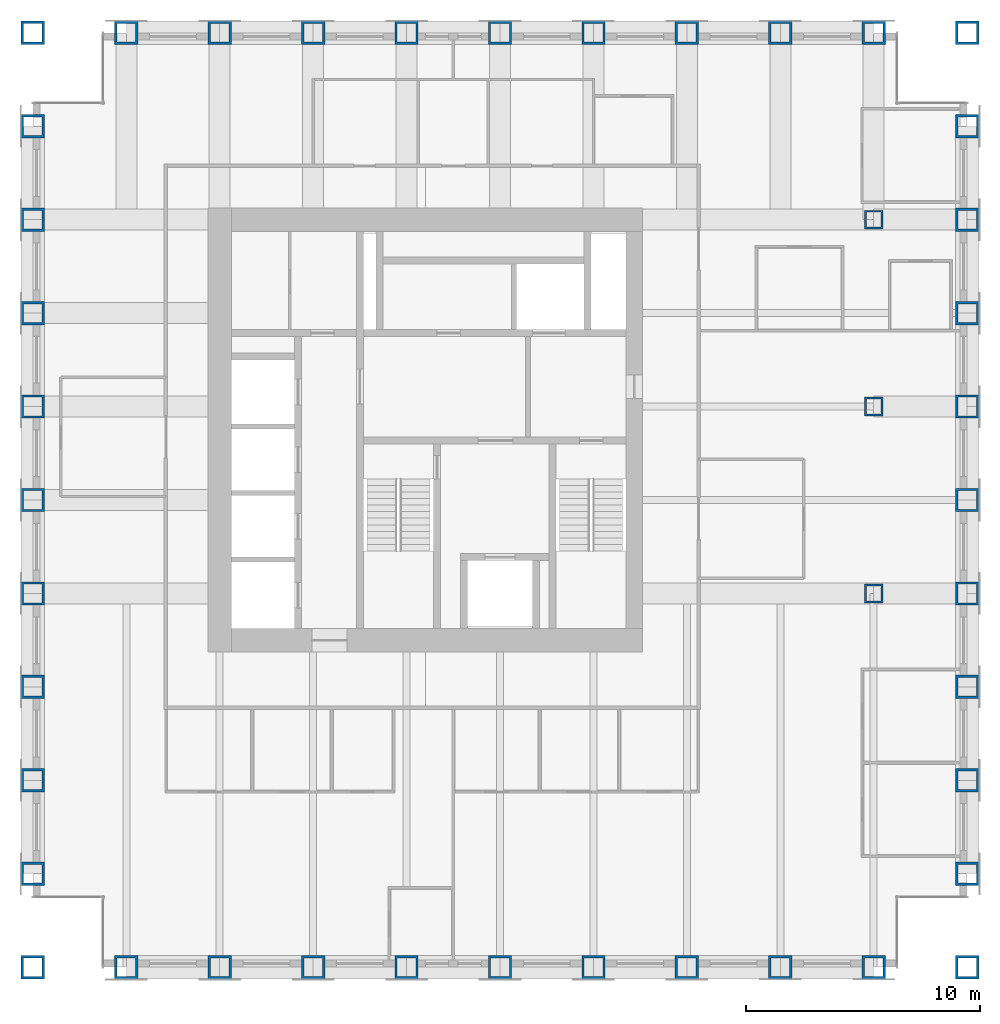
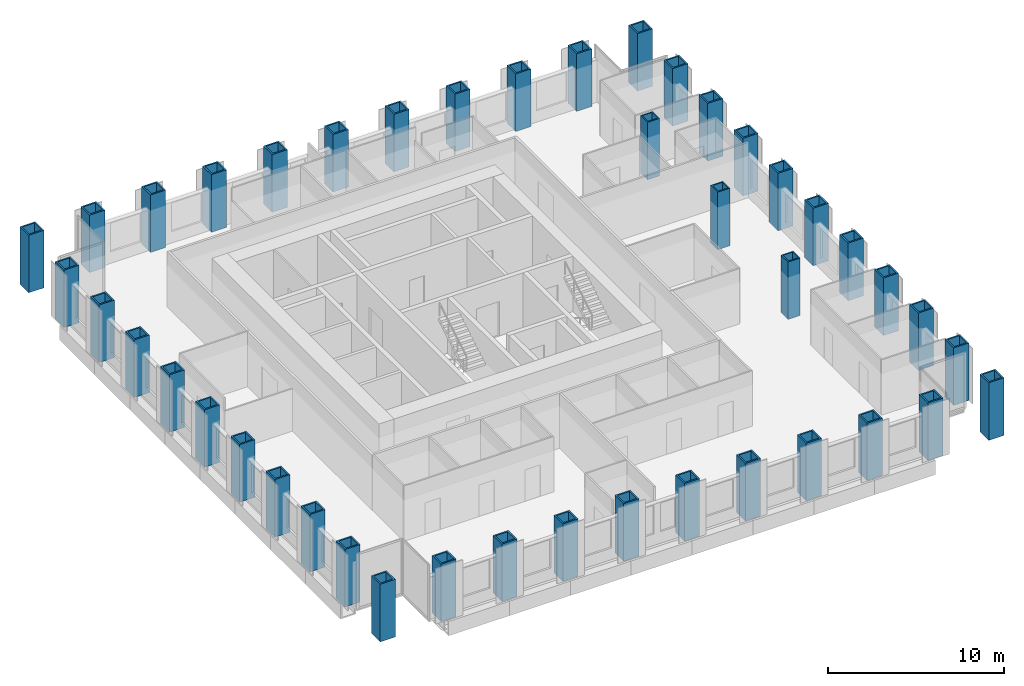
# One storey, part 1 of 13: 43 columns.
"""IFC4 building model written with IfcOpenShell, lengths in metres."""

import ifcopenshell
import ifcopenshell.guid

model = None  # the IFC model being written
_history = None  # IfcOwnerHistory: only IFC2X3 demands one
_inside = {}  # id of a spatial element -> (the spatial element, [elements in it])
_under = {}  # id of a project, library or spatial element -> (it, [spatial elements below it])
_declared = {}  # id of a project -> (the project, [libraries it declares])
_typed = {}  # id of a type object -> (the type object, [elements of that type])
_made_of = {}  # id of a material, layer set ... -> (it, [elements and type objects made of it])


def new_model(schema):
    """Start an empty IFC model of exactly this schema.

    Asked for "IFC4X3", IfcOpenShell would pick the latest addendum, in which some entities
    have other attributes; the version numbers below select the first issue.
    IFC2X3 requires an IfcOwnerHistory on every rooted entity: one is made here for all.
    """
    global model, _history
    if schema == "IFC4X3":
        model = ifcopenshell.file(schema_version=(4, 3, 0, 0))
    else:
        model = ifcopenshell.file(schema=schema)
    _inside.clear()
    _under.clear()
    _declared.clear()
    _typed.clear()
    _made_of.clear()
    _history = None
    if model.schema == "IFC2X3":
        org = make("IfcOrganization", Name="unknown")
        user = make(
            "IfcPersonAndOrganization",
            ThePerson=make("IfcPerson", FamilyName="unknown"),
            TheOrganization=org,
        )
        app = make(
            "IfcApplication",
            ApplicationDeveloper=org,
            Version="unknown",
            ApplicationFullName="unknown",
            ApplicationIdentifier="unknown",
        )
        _history = make(
            "IfcOwnerHistory",
            OwningUser=user,
            OwningApplication=app,
            ChangeAction="ADDED",
            CreationDate=0,
        )
    return model


def make(cls, **values):
    """One entity of the class cls with the attributes given. An attribute that is None is left unset."""
    return model.create_entity(
        cls, **{name: value for name, value in values.items() if value is not None}
    )


def rooted(cls, **values):
    """An entity with a GlobalId (a new one), such as an element, a storey or a relation."""
    return make(cls, GlobalId=ifcopenshell.guid.new(), OwnerHistory=_history, **values)


def si_unit(unit_type, name, prefix=None):
    """IfcSIUnit, for example si_unit("LENGTHUNIT", "METRE", prefix="MILLI")."""
    return make("IfcSIUnit", UnitType=unit_type, Prefix=prefix, Name=name)


def assignment(units):
    """IfcUnitAssignment: the units of a project."""
    return None if units is None else make("IfcUnitAssignment", Units=units)


def point(xyz):
    """IfcCartesianPoint."""
    return None if xyz is None else make("IfcCartesianPoint", Coordinates=xyz)


def direction(xyz):
    """IfcDirection."""
    return None if xyz is None else make("IfcDirection", DirectionRatios=xyz)


def frame(location, z_axis=None, x_axis=None):
    """IfcAxis2Placement3D, a coordinate frame: its origin and axes. An axis left out is left unset."""
    return make(
        "IfcAxis2Placement3D",
        Location=point(location),
        Axis=direction(z_axis),
        RefDirection=direction(x_axis),
    )


def frame_2d(location, x_axis=None):
    """IfcAxis2Placement2D, a coordinate frame in the plane: its origin and x axis."""
    return make(
        "IfcAxis2Placement2D", Location=point(location), RefDirection=direction(x_axis)
    )


def origin():
    """The frame at (0, 0, 0) with its axes left unset."""
    return frame((0.0, 0.0, 0.0))


def origin_2d():
    """The frame at (0, 0) in the plane with its x axis left unset."""
    return frame_2d((0.0, 0.0))


def place(relative_to, where):
    """IfcLocalPlacement: puts the frame where relative to a parent placement (None: the world)."""
    return make(
        "IfcLocalPlacement", PlacementRelTo=relative_to, RelativePlacement=where
    )


def context(
    kind, dimensions, precision=None, world=None, true_north=None, identifier=None
):
    """IfcGeometricRepresentationContext, for example the 3D "Model" context."""
    return make(
        "IfcGeometricRepresentationContext",
        ContextIdentifier=identifier,
        ContextType=kind,
        CoordinateSpaceDimension=dimensions,
        Precision=precision,
        WorldCoordinateSystem=world,
        TrueNorth=true_north,
    )


def subcontext(parent, identifier, kind, view, scale=None):
    """IfcGeometricRepresentationSubContext, for example "Body" below "Model"."""
    return make(
        "IfcGeometricRepresentationSubContext",
        ContextIdentifier=identifier,
        ContextType=kind,
        ParentContext=parent,
        TargetScale=scale,
        TargetView=view,
    )


def project(units=None, contexts=None):
    """IfcProject with its units and contexts."""
    return rooted(
        "IfcProject",
        Name="project",
        RepresentationContexts=contexts,
        UnitsInContext=assignment(units),
    )


def spatial(cls, under=None, at=None, **own):
    """A site, building, storey or space (cls), placed at a placement, below another one or the project."""
    s = rooted(cls, ObjectPlacement=at, **own)
    if under is not None:
        _under.setdefault(under.id(), (under, []))[1].append(s)
    return s


def profile(cls, at=None, kind="AREA", **sizes):
    """A parametric profile (cls). Its sizes go by their IFC names, for example OverallWidth=200.0."""
    return make(cls, ProfileType=kind, Position=at, **sizes)


def hollow_rectangle(**sizes):
    """IfcRectangleHollowProfileDef."""
    return profile("IfcRectangleHollowProfileDef", **sizes)


def extrude(swept, where, along, depth):
    """IfcExtrudedAreaSolid: the profile swept, set in the frame where, extruded along a direction by depth."""
    return make(
        "IfcExtrudedAreaSolid",
        SweptArea=swept,
        Position=where,
        ExtrudedDirection=direction(along),
        Depth=depth,
    )


def shape(context_of_items, identifier, shape_type, items):
    """IfcShapeRepresentation: the items that make up one representation, for example the "Body"."""
    return make(
        "IfcShapeRepresentation",
        ContextOfItems=context_of_items,
        RepresentationIdentifier=identifier,
        RepresentationType=shape_type,
        Items=items,
    )


def material(Name=None, Category=None):
    """IfcMaterial."""
    return make("IfcMaterial", Name=Name, Category=Category)


def material_profile(
    of_material, cross_section, Name=None, Category=None, Priority=None
):
    """IfcMaterialProfile: a cross section and its material."""
    return make(
        "IfcMaterialProfile",
        Name=Name,
        Material=of_material,
        Profile=cross_section,
        Priority=Priority,
        Category=Category,
    )


def profile_set(profiles, Name=None, composite=None):
    """IfcMaterialProfileSet."""
    return make(
        "IfcMaterialProfileSet",
        Name=Name,
        MaterialProfiles=profiles,
        CompositeProfile=composite,
    )


def made_of(thing, what):
    """Note that an element or type object is made of a material, layer set ...; save() writes the relation."""
    if what is not None:
        _made_of.setdefault(what.id(), (what, []))[1].append(thing)
    return thing


def type_object(cls, material=None, **own):
    """A type object (cls), such as IfcWallType, which elements share."""
    return made_of(rooted(cls, **own), material)


def element(
    cls,
    number,
    at=None,
    inside=None,
    cuts=None,
    type_object=None,
    material=None,
    context=None,
    identifier="Body",
    shape_type=None,
    held_by="IfcProductDefinitionShape",
    body=None,
    shapes=None,
    **own,
):
    """One element of the class cls, such as IfcWall. Its Tag is "e" and its number.

    at: its placement. inside: the storey or other place that contains it. cuts: it is an
    opening in that element (IfcRelVoidsElement). A single representation is given by context,
    identifier, shape_type and body (its items); several are given by shapes. held_by: the class
    of the entity that holds the representations. save() writes the other relations.
    """
    e = rooted(cls, Tag="e%d" % number, ObjectPlacement=at, **own)
    if body is not None:
        shapes = [shape(context, identifier, shape_type, body)]
    if shapes is not None:
        e.Representation = make(held_by, Representations=shapes)
    if inside is not None:
        _inside.setdefault(inside.id(), (inside, []))[1].append(e)
    if cuts is not None:
        rooted(
            "IfcRelVoidsElement", RelatingBuildingElement=cuts, RelatedOpeningElement=e
        )
    if type_object is not None:
        _typed.setdefault(type_object.id(), (type_object, []))[1].append(e)
    return made_of(e, material)


def aggregate(whole, parts):
    """IfcRelAggregates: a whole, such as a stair, and the parts it consists of."""
    return rooted("IfcRelAggregates", RelatingObject=whole, RelatedObjects=parts)


def save(model, path):
    """Write the relations noted so far, then the file.

    IfcRelAggregates (storeys below a building ...), IfcRelContainedInSpatialStructure (elements
    in a storey), IfcRelDefinesByType, IfcRelAssociatesMaterial and IfcRelDeclares: one each for
    every whole, place, type object, material and project.
    """
    for whole, parts in _under.values():
        aggregate(whole, parts)
    for where, things in _inside.values():
        rooted(
            "IfcRelContainedInSpatialStructure",
            RelatedElements=things,
            RelatingStructure=where,
        )
    for kind, things in _typed.values():
        rooted("IfcRelDefinesByType", RelatedObjects=things, RelatingType=kind)
    for what, things in _made_of.values():
        rooted("IfcRelAssociatesMaterial", RelatedObjects=things, RelatingMaterial=what)
    for by, libraries in _declared.values():
        rooted("IfcRelDeclares", RelatingContext=by, RelatedDefinitions=libraries)
    model.write(path)


model = new_model("IFC4")

# Units and contexts
model_context = context("Model", 3, precision=1e-05, world=origin(), true_north=direction((0.0, 1.0)))
body_context = subcontext(model_context, "Body", "Model", "MODEL_VIEW")
ifc_project = project(units=[si_unit("LENGTHUNIT", "METRE"), si_unit("AREAUNIT", "SQUARE_METRE"), si_unit("VOLUMEUNIT", "CUBIC_METRE"), si_unit("PLANEANGLEUNIT", "RADIAN"), si_unit("MASSUNIT", "GRAM", prefix="KILO")], contexts=[model_context])

# Site, building, storey
site_placement = place(None, origin())
site = spatial("IfcSite", under=ifc_project, at=site_placement, CompositionType="ELEMENT")
building_placement = place(site_placement, origin())
building = spatial("IfcBuilding", under=site, at=building_placement, Name="Rimbunsela Tower", CompositionType="ELEMENT")
storey_placement = place(building_placement, frame((0.0, 0.0, 262.199951171875)))
storey = spatial("IfcBuildingStorey", under=building, at=storey_placement, Name="L63", CompositionType="ELEMENT", Elevation=262.199951171875)

# Columns
ifc_material_1 = material(Name="Steel BJ 55 (fy 410 MPa)", Category="steel")
ifc_material_profile_1 = material_profile(ifc_material_1, hollow_rectangle(XDim=1.0, YDim=1.0, WallThickness=0.10009765625, at=origin_2d()), Name="BOX 1000x1000x100")
ifc_profile_set_1 = profile_set([ifc_material_profile_1], Name="Steel BJ 55 (fy 410 MPa)")
column_type_1 = type_object("IfcColumnType", Name="Column BOX 1000x1000x100", PredefinedType="COLUMN", material=ifc_profile_set_1)
for number, where, z_axis, x_axis, name in (
    (1, (10.0, 4.0, 0.0), (0.0, 0.0, 1.0), (1.0, 0.0, 0.0), "Column C1 5/C L63"),
    (2, (10.0, 8.0, 0.0), (0.0, 0.0, 1.0), (1.0, 0.0, 0.0), "Column C1 5/D L63"),
    (3, (10.0, 12.0, 0.0), (0.0, 0.0, 1.0), (1.0, 0.0, 0.0), "Column C1 5/E L63"),
    (4, (10.0, 16.0, 0.0), (0.0, 0.0, 1.0), (1.0, 0.0, 0.0), "Column C1 5/F L63"),
    (5, (10.0, 20.0, 0.0), (0.0, 0.0, 1.0), (1.0, 0.0, 0.0), "Column C1 5/G L63"),
    (6, (10.0, 24.0, 0.0), (0.0, 0.0, 1.0), (1.0, 0.0, 0.0), "Column C1 5/H L63"),
    (7, (10.0, 28.0, 0.0), (0.0, 0.0, 1.0), (1.0, 0.0, 0.0), "Column C1 5/J L63"),
    (8, (10.0, 32.0, 0.0), (0.0, 0.0, 1.0), (1.0, 0.0, 0.0), "Column C1 5/K L63"),
    (9, (10.0, 36.0, 0.0), (0.0, 0.0, 1.0), (1.0, 0.0, 0.0), "Column C1 5/L L63"),
    (10, (10.0, 40.0, 0.0), (0.0, 0.0, 1.0), (1.0, 0.0, 0.0), "Column C1 5/M L63"),
    (11, (10.0, 44.0, 0.0), (0.0, 0.0, 1.0), (1.0, 0.0, 0.0), "Column C1 5/N L63"),
    (12, (14.0, 4.0, 0.0), (0.0, 0.0, 1.0), (1.0, 0.0, 0.0), "Column C1 6/C L63"),
    (13, (14.0, 44.0, 0.0), (0.0, 0.0, 1.0), (1.0, 0.0, 0.0), "Column C1 6/N L63"),
    (14, (18.0, 4.0, 0.0), (0.0, 0.0, 1.0), (1.0, 0.0, 0.0), "Column C1 7/C L63"),
    (15, (18.0, 44.0, 0.0), (0.0, 0.0, 1.0), (1.0, 0.0, 0.0), "Column C1 7/N L63"),
    (16, (22.0, 4.0, 0.0), (0.0, 0.0, 1.0), (1.0, 0.0, 0.0), "Column C1 8/C L63"),
    (17, (22.0, 44.0, 0.0), (0.0, 0.0, 1.0), (1.0, 0.0, 0.0), "Column C1 8/N L63"),
    (18, (26.0, 4.0, 0.0), (0.0, 0.0, 1.0), (1.0, 0.0, 0.0), "Column C1 9/C L63"),
    (19, (26.0, 44.0, 0.0), (0.0, 0.0, 1.0), (1.0, 0.0, 0.0), "Column C1 9/N L63"),
    (20, (30.0, 4.0, 0.0), (0.0, 0.0, 1.0), (1.0, 0.0, 0.0), "Column C1 10/C L63"),
    (21, (30.0, 44.0, 0.0), (0.0, 0.0, 1.0), (1.0, 0.0, 0.0), "Column C1 10/N L63"),
    (22, (34.0, 4.0, 0.0), (0.0, 0.0, 1.0), (1.0, 0.0, 0.0), "Column C1 11/C L63"),
    (23, (34.0, 44.0, 0.0), (0.0, 0.0, 1.0), (1.0, 0.0, 0.0), "Column C1 11/N L63"),
    (24, (38.0, 4.0, 0.0), (0.0, 0.0, 1.0), (1.0, 0.0, 0.0), "Column C1 12/C L63"),
    (25, (38.0, 44.0, 0.0), (0.0, 0.0, 1.0), (1.0, 0.0, 0.0), "Column C1 12/N L63"),
    (26, (42.0, 4.0, 0.0), (0.0, 0.0, 1.0), (1.0, 0.0, 0.0), "Column C1 13/C L63"),
    (27, (42.0, 44.0, 0.0), (0.0, 0.0, 1.0), (1.0, 0.0, 0.0), "Column C1 13/N L63"),
    (28, (46.0, 4.0, 0.0), (0.0, 0.0, 1.0), (1.0, 0.0, 0.0), "Column C1 14/C L63"),
    (29, (46.0, 44.0, 0.0), (0.0, 0.0, 1.0), (1.0, 0.0, 0.0), "Column C1 14/N L63"),
    (30, (50.0, 4.0, 0.0), (0.0, 0.0, 1.0), (1.0, 0.0, 0.0), "Column C1 15/C L63"),
    (31, (50.0, 8.0, 0.0), (0.0, 0.0, 1.0), (1.0, 0.0, 0.0), "Column C1 15/D L63"),
    (32, (50.0, 12.0, 0.0), (0.0, 0.0, 1.0), (1.0, 0.0, 0.0), "Column C1 15/E L63"),
    (33, (50.0, 16.0, 0.0), (0.0, 0.0, 1.0), (1.0, 0.0, 0.0), "Column C1 15/F L63"),
    (34, (50.0, 20.0, 0.0), (0.0, 0.0, 1.0), (1.0, 0.0, 0.0), "Column C1 15/G L63"),
    (35, (50.0, 24.0, 0.0), (0.0, 0.0, 1.0), (1.0, 0.0, 0.0), "Column C1 15/H L63"),
    (36, (50.0, 28.0, 0.0), (0.0, 0.0, 1.0), (1.0, 0.0, 0.0), "Column C1 15/J L63"),
    (37, (50.0, 32.0, 0.0), (0.0, 0.0, 1.0), (1.0, 0.0, 0.0), "Column C1 15/K L63"),
    (38, (50.0, 36.0, 0.0), (0.0, 0.0, 1.0), (1.0, 0.0, 0.0), "Column C1 15/L L63"),
    (39, (50.0, 40.0, 0.0), (0.0, 0.0, 1.0), (1.0, 0.0, 0.0), "Column C1 15/M L63"),
    (40, (50.0, 44.0, 0.0), (0.0, 0.0, 1.0), (1.0, 0.0, 0.0), "Column C1 15/N L63"),
):
    element("IfcColumn", number, at=place(storey_placement, frame(where, z_axis=z_axis, x_axis=x_axis)), inside=storey, type_object=column_type_1, Name=name, PredefinedType="COLUMN", context=body_context, shape_type="SweptSolid", body=[
        extrude(hollow_rectangle(XDim=1.0, YDim=1.0, WallThickness=0.10009765625, at=origin_2d()), origin(), (0.0, 0.0, 1.0), 4.0),
    ])
ifc_material_2 = material(Name="Steel BJ 55 (fy 410 MPa)", Category="steel")
ifc_material_profile_2 = material_profile(ifc_material_2, hollow_rectangle(XDim=0.800048828125, YDim=0.800048828125, WallThickness=0.080078125, at=origin_2d()), Name="BOX 800x800x80")
ifc_profile_set_2 = profile_set([ifc_material_profile_2], Name="Steel BJ 55 (fy 410 MPa)")
column_type_2 = type_object("IfcColumnType", Name="Column BOX 800x800x80", PredefinedType="COLUMN", material=ifc_profile_set_2)
for number, where, z_axis, x_axis, name in (
    (41, (46.0, 20.0, 0.0), (0.0, 0.0, 1.0), (1.0, 0.0, 0.0), "Column C2 14/G L63"),
    (42, (46.0, 28.0, 0.0), (0.0, 0.0, 1.0), (1.0, 0.0, 0.0), "Column C2 14/J L63"),
    (43, (46.0, 36.0, 0.0), (0.0, 0.0, 1.0), (1.0, 0.0, 0.0), "Column C2 14/L L63"),
):
    element("IfcColumn", number, at=place(storey_placement, frame(where, z_axis=z_axis, x_axis=x_axis)), inside=storey, type_object=column_type_2, Name=name, PredefinedType="COLUMN", context=body_context, shape_type="SweptSolid", body=[
        extrude(hollow_rectangle(XDim=0.800048828125, YDim=0.800048828125, WallThickness=0.080078125, at=origin_2d()), origin(), (0.0, 0.0, 1.0), 4.0),
    ])

save(model, "model.ifc")
